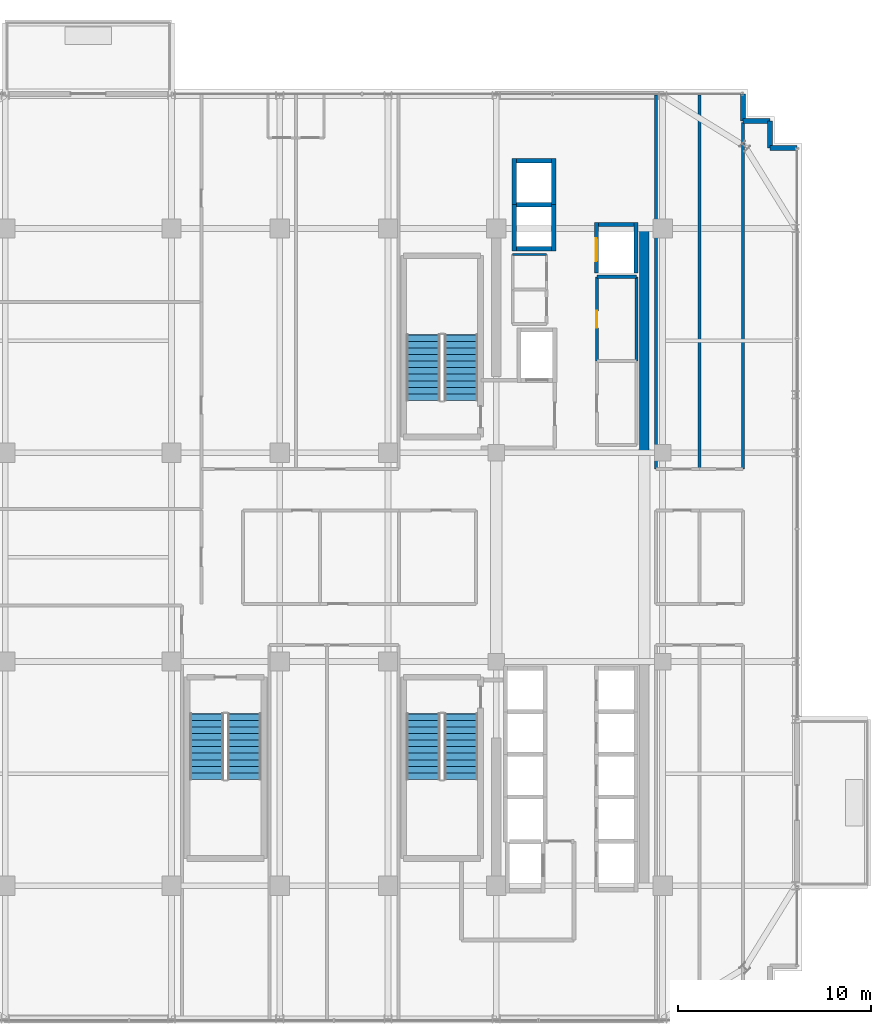
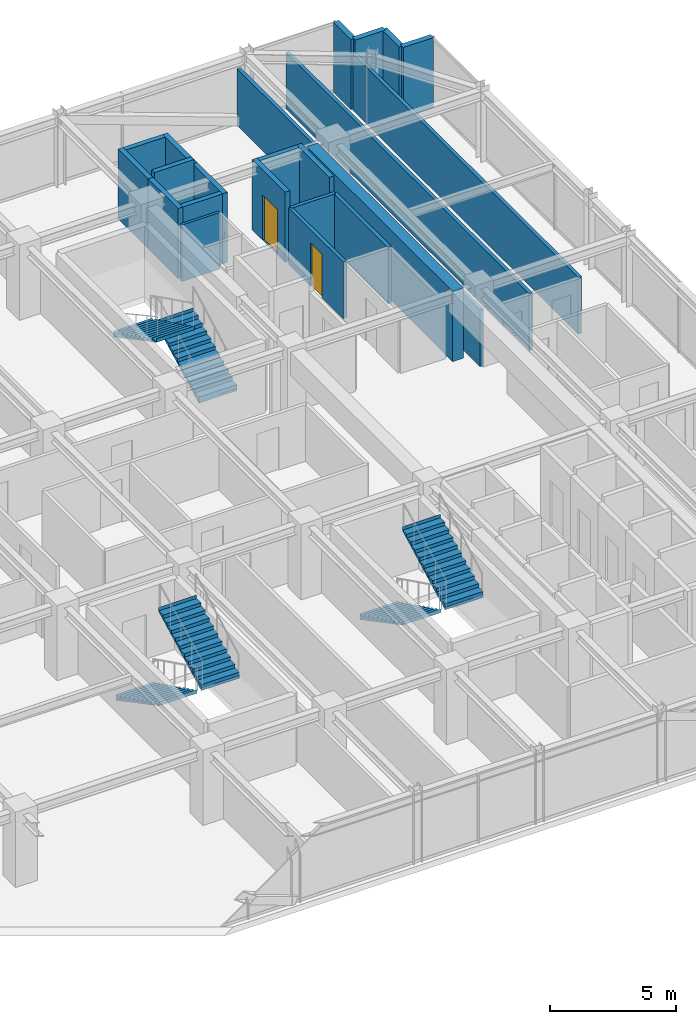
# One storey, part 33 of 36: 22 walls, 6 stair flights, 2 doors, 2 openings, 3 elements without a shape of their own.
"""IFC4 building model written with IfcOpenShell, lengths in metres."""

from ifc_helpers import new_model, si_unit, direction, frame, frame_2d, origin, place, context, subcontext, project, spatial, polyline, rectangle, outline, extrude, source, transform, mapped, material, layer, layer_set, type_object, element, fill, aggregate, save


model = new_model("IFC4")

# Units and contexts
model_context = context("Model", 3, precision=1e-05, world=origin(), true_north=direction((0.0, 1.0)))
body_context = subcontext(model_context, "Body", "Model", "MODEL_VIEW")
ifc_project = project(units=[si_unit("LENGTHUNIT", "METRE"), si_unit("AREAUNIT", "SQUARE_METRE"), si_unit("VOLUMEUNIT", "CUBIC_METRE"), si_unit("PLANEANGLEUNIT", "RADIAN"), si_unit("MASSUNIT", "GRAM", prefix="KILO")], contexts=[model_context])

# Site, building, storey
site_placement = place(None, origin())
site = spatial("IfcSite", under=ifc_project, at=site_placement, CompositionType="ELEMENT")
building_placement = place(site_placement, origin())
building = spatial("IfcBuilding", under=site, at=building_placement, Name="Nahalor Promenade Grand Hotel", CompositionType="ELEMENT")
storey_placement = place(building_placement, frame((0.0, 0.0, 219.699951171875)))
storey = spatial("IfcBuildingStorey", under=building, at=storey_placement, Name="L56", CompositionType="ELEMENT", Elevation=219.699951171875)

# Walls
ifc_material_1 = material(Name="Concrete B-60 (C50/60)", Category="concrete")
ifc_layer_1 = layer(ifc_material_1, 0.5)
ifc_layer_set_1 = layer_set([ifc_layer_1], Name="Concrete B-60 (C50/60)")
wall_type_1 = type_object("IfcWallType", Name="Wall-CoreShear-500", PredefinedType="SHEAR", material=ifc_layer_set_1)
shared_shape_1 = source(origin(), body_context, "Body", "SweptSolid", [
    extrude(rectangle(XDim=11.60009765625, YDim=0.5, at=frame_2d((5.800048828125, 0.0))), origin(), (0.0, 0.0, 1.0), 3.41015625),
])
wall_1_placement = place(storey_placement, frame((16.050048828125, 5.39990234375, 0.0), z_axis=(0.0, 0.0, 1.0), x_axis=(0.0, 1.0, 0.0)))
element("IfcWall", 1, at=wall_1_placement, inside=storey, type_object=wall_type_1, Name="CWALL-L56-NE", PredefinedType="SHEAR", context=body_context, shape_type="MappedRepresentation", body=[
    mapped(shared_shape_1, transform((0.0, 0.0, 0.0), scale=1.0)),
])
ifc_material_2 = material(Name="Concrete B-50 (C40/50)", Category="concrete")
ifc_layer_2 = layer(ifc_material_2, 0.219970703125)
ifc_layer_set_2 = layer_set([ifc_layer_2], Name="Concrete B-50 (C40/50)")
wall_type_2 = type_object("IfcWallType", Name="Wall-LiftShaft-220", PredefinedType="SHEAR", material=ifc_layer_set_2)
shared_shape_2 = source(origin(), body_context, "Body", "SweptSolid", [
    extrude(rectangle(XDim=1.820068359375, YDim=0.219970703125, at=frame_2d((0.91015625, 0.0))), origin(), (0.0, 0.0, 1.0), 3.41015625),
])
for number, where, z_axis, x_axis, name in (
    (2, (9.43994140625, 15.949951171875, 0.0), (0.0, 0.0, 1.0), (1.0, 0.0, 0.0), "L56 Lift OB1 Hoistway Wall S"),
    (3, (9.43994140625, 20.5, 0.0), (0.0, 0.0, 1.0), (1.0, 0.0, 0.0), "L56 Lift OB2 Hoistway Wall N"),
    (4, (13.68994140625, 17.199951171875, 0.0), (0.0, 0.0, 1.0), (1.0, 0.0, 0.0), "L56 Lift SV1 Hoistway Wall N"),
):
    element("IfcWall", number, at=place(storey_placement, frame(where, z_axis=z_axis, x_axis=x_axis)), inside=storey, type_object=wall_type_2, Name=name, PredefinedType="SHEAR", context=body_context, shape_type="MappedRepresentation", body=[
        mapped(shared_shape_2, transform((0.0, 0.0, 0.0), scale=1.0)),
    ])
shared_shape_3 = source(origin(), body_context, "Body", "SweptSolid", [
    extrude(rectangle(XDim=1.820068359375, YDim=0.219970703125, at=frame_2d((0.91015625, 0.0))), origin(), (0.0, 0.0, 1.0), 3.699951171875),
])
wall_2_placement = place(storey_placement, frame((9.43994140625, 18.22509765625, 0.0), z_axis=(0.0, 0.0, 1.0), x_axis=(1.0, 0.0, 0.0)))
element("IfcWall", 5, at=wall_2_placement, inside=storey, type_object=wall_type_2, Name="L56 Lift OB1 Hoistway Wall N", PredefinedType="SHEAR", context=body_context, shape_type="MappedRepresentation", body=[
    mapped(shared_shape_3, transform((0.0, 0.0, 0.0), scale=1.0)),
])
shared_shape_4 = source(origin(), body_context, "Body", "SweptSolid", [
    extrude(rectangle(XDim=2.385009765625, YDim=0.219970703125, at=frame_2d((1.1923828125, 0.0))), origin(), (0.0, 0.0, 1.0), 3.41015625),
])
for number, where, z_axis, x_axis, name in (
    (6, (9.330078125, 15.840087890625, 0.0), (0.0, 0.0, 1.0), (0.0, 1.0, 0.0), "L56 Lift OB1 Hoistway Wall W"),
    (7, (11.3701171875, 15.840087890625, 0.0), (0.0, 0.0, 1.0), (0.0, 1.0, 0.0), "L56 Lift OB1 Hoistway Wall E"),
    (8, (9.330078125, 18.22509765625, 0.0), (0.0, 0.0, 1.0), (0.0, 1.0, 0.0), "L56 Lift OB2 Hoistway Wall W"),
    (9, (11.3701171875, 18.22509765625, 0.0), (0.0, 0.0, 1.0), (0.0, 1.0, 0.0), "L56 Lift OB2 Hoistway Wall E"),
):
    element("IfcWall", number, at=place(storey_placement, frame(where, z_axis=z_axis, x_axis=x_axis)), inside=storey, type_object=wall_type_2, Name=name, PredefinedType="SHEAR", context=body_context, shape_type="MappedRepresentation", body=[
        mapped(shared_shape_4, transform((0.0, 0.0, 0.0), scale=1.0)),
    ])

# Wall, opening, door
shared_shape_5 = source(origin(), body_context, "Body", "SweptSolid", [
    extrude(rectangle(XDim=2.610107421875, YDim=0.219970703125, at=frame_2d((1.30517578125, 0.0))), origin(), (0.0, 0.0, 1.0), 3.41015625),
])
wall_3_placement = place(storey_placement, frame((13.580078125, 14.699951171875, 0.0), z_axis=(0.0, 0.0, 1.0), x_axis=(0.0, 1.0, 0.0)))
wall_3 = element("IfcWall", 10, at=wall_3_placement, inside=storey, type_object=wall_type_2, Name="L56 Lift SV1 Hoistway Wall W", PredefinedType="SHEAR", context=body_context, shape_type="MappedRepresentation", body=[
    mapped(shared_shape_5, transform((0.0, 0.0, 0.0), scale=1.0)),
])
opening_1_placement = place(wall_3_placement, frame((0.60009765625, 0.0, 0.0)))
opening_1 = element("IfcOpeningElement", 11, at=opening_1_placement, cuts=wall_3, Name="Opening LD-03", PredefinedType="OPENING", context=body_context, shape_type="SweptSolid", body=[
    extrude(rectangle(XDim=1.199951171875, YDim=2.199951171875, at=frame_2d((0.60009765625, 1.10009765625))), frame((0.0, 0.119873046875, 0.0), z_axis=(0.0, -1.0, 0.0), x_axis=(1.0, 0.0, 0.0)), (0.0, 0.0, 1.0), 0.239990234375),
])
ifc_material_3 = material(Name="Steel S355JR", Category="steel")
door_type_1 = type_object("IfcDoorType", Name="Door-LiftService-1200", OperationType="DOUBLE_DOOR_SLIDING", PredefinedType="DOOR", material=ifc_material_3)
shared_shape_6 = source(origin(), body_context, "Body", "SweptSolid", [
    extrude(rectangle(XDim=1.199951171875, YDim=2.199951171875, at=frame_2d((0.60009765625, 1.10009765625))), frame((0.0, 0.02490234375, 0.0), z_axis=(0.0, -1.0, 0.0), x_axis=(1.0, 0.0, 0.0)), (0.0, 0.0, 1.0), 0.050048828125),
])
door_1_placement = place(opening_1_placement, origin())
door_1 = element("IfcDoor", 12, at=door_1_placement, inside=storey, type_object=door_type_1, Name="DR-LIFT-SV1-L56", OperationType="DOUBLE_DOOR_SLIDING", OverallHeight=2.199951171875, OverallWidth=1.199951171875, PredefinedType="DOOR", context=body_context, shape_type="MappedRepresentation", body=[
    mapped(shared_shape_6, transform((0.0, 0.0, 0.0), scale=1.0)),
])
fill(opening_1, door_1)

# Walls
wall_4_placement = place(storey_placement, frame((15.6201171875, 14.699951171875, 0.0), z_axis=(0.0, 0.0, 1.0), x_axis=(0.0, 1.0, 0.0)))
element("IfcWall", 13, at=wall_4_placement, inside=storey, type_object=wall_type_2, Name="L56 Lift SV1 Hoistway Wall E", PredefinedType="SHEAR", context=body_context, shape_type="MappedRepresentation", body=[
    mapped(shared_shape_5, transform((0.0, 0.0, 0.0), scale=1.0)),
])
ifc_material_4 = material(Name="Concrete B-40 (C32/40)", Category="concrete")
ifc_layer_3 = layer(ifc_material_4, 0.25)
ifc_layer_set_3 = layer_set([ifc_layer_3], Name="Concrete B-40 (C32/40)")
wall_type_3 = type_object("IfcWallType", Name="Wall-BronzePier-250", PredefinedType="STANDARD", material=ifc_layer_set_3)
shared_shape_7 = source(origin(), body_context, "Body", "SweptSolid", [
    extrude(rectangle(XDim=1.39990234375, YDim=0.25, at=frame_2d((0.699951171875, 0.0))), origin(), (0.0, 0.0, 1.0), 3.41015625),
])
for number, where, z_axis, x_axis, name in (
    (14, (22.56005859375, 21.159912109375, 0.0), (0.0, 0.0, 1.0), (1.0, 0.0, 0.0), "W-L56-SR-05"),
    (15, (21.159912109375, 22.56005859375, 0.0), (0.0, 0.0, 1.0), (0.0, 1.0, 0.0), "W-L56-SR-08"),
):
    element("IfcWall", number, at=place(storey_placement, frame(where, z_axis=z_axis, x_axis=x_axis)), inside=storey, type_object=wall_type_3, Name=name, PredefinedType="STANDARD", context=body_context, shape_type="MappedRepresentation", body=[
        mapped(shared_shape_7, transform((0.0, 0.0, 0.0), scale=1.0)),
    ])
shared_shape_8 = source(origin(), body_context, "Body", "SweptSolid", [
    extrude(rectangle(XDim=1.400146484375, YDim=0.25, at=frame_2d((0.7001953125, 0.0))), origin(), (0.0, 0.0, 1.0), 3.41015625),
])
for number, where, z_axis, x_axis, name in (
    (16, (22.56005859375, 21.159912109375, 0.0), (0.0, 0.0, 1.0), (0.0, 1.0, 0.0), "W-L56-SR-06"),
    (17, (21.159912109375, 22.56005859375, 0.0), (0.0, 0.0, 1.0), (1.0, 0.0, 0.0), "W-L56-SR-07"),
):
    element("IfcWall", number, at=place(storey_placement, frame(where, z_axis=z_axis, x_axis=x_axis)), inside=storey, type_object=wall_type_3, Name=name, PredefinedType="STANDARD", context=body_context, shape_type="MappedRepresentation", body=[
        mapped(shared_shape_8, transform((0.0, 0.0, 0.0), scale=1.0)),
    ])
ifc_material_5 = material(Name="Acoustic Mineral Gypsum", Category="gypsum")
ifc_layer_4 = layer(ifc_material_5, 0.159912109375)
ifc_layer_set_4 = layer_set([ifc_layer_4], Name="Acoustic Mineral Gypsum")
wall_type_4 = type_object("IfcWallType", Name="Wall-PartCorridor-160", PredefinedType="PARTITIONING", material=ifc_layer_set_4)
shared_shape_9 = source(origin(), body_context, "Body", "SweptSolid", [
    extrude(rectangle(XDim=2.0498046875, YDim=0.159912109375, at=frame_2d((1.02490234375, 0.0))), origin(), (0.0, 0.0, 1.0), 2.75),
])
wall_5_placement = place(storey_placement, frame((13.60009765625, 14.5, 0.0), z_axis=(0.0, 0.0, 1.0), x_axis=(1.0, 0.0, 0.0)))
element("IfcWall", 18, at=wall_5_placement, inside=storey, type_object=wall_type_4, Name="W-L56-FRB1B-N", PredefinedType="PARTITIONING", context=body_context, shape_type="MappedRepresentation", body=[
    mapped(shared_shape_9, transform((0.0, 0.0, 0.0), scale=1.0)),
])
shared_shape_10 = source(origin(), body_context, "Body", "SweptSolid", [
    extrude(rectangle(XDim=19.349853515625, YDim=0.159912109375, at=frame_2d((9.6748046875, 0.0))), origin(), (0.0, 0.0, 1.0), 2.75),
])
for number, where, z_axis, x_axis, name in (
    (19, (16.64990234375, 4.550048828125, 0.0), (0.0, 0.0, 1.0), (0.0, 1.0, 0.0), "W-L56-ENE1-W"),
    (20, (18.905029296875, 4.550048828125, 0.0), (0.0, 0.0, 1.0), (0.0, 1.0, 0.0), "W-L56-ENE1-E"),
):
    element("IfcWall", number, at=place(storey_placement, frame(where, z_axis=z_axis, x_axis=x_axis)), inside=storey, type_object=wall_type_4, Name=name, PredefinedType="PARTITIONING", context=body_context, shape_type="MappedRepresentation", body=[
        mapped(shared_shape_10, transform((0.0, 0.0, 0.0), scale=1.0)),
    ])
shared_shape_11 = source(origin(), body_context, "Body", "SweptSolid", [
    extrude(rectangle(XDim=17.929931640625, YDim=0.159912109375, at=frame_2d((8.96484375, 0.0))), origin(), (0.0, 0.0, 1.0), 2.75),
])
wall_6_placement = place(storey_placement, frame((21.159912109375, 4.550048828125, 0.0), z_axis=(0.0, 0.0, 1.0), x_axis=(0.0, 1.0, 0.0)))
element("IfcWall", 21, at=wall_6_placement, inside=storey, type_object=wall_type_4, Name="W-L56-ENE2-E", PredefinedType="PARTITIONING", context=body_context, shape_type="MappedRepresentation", body=[
    mapped(shared_shape_11, transform((0.0, 0.0, 0.0), scale=1.0)),
])
ifc_layer_5 = layer(ifc_material_5, 0.1201171875)
ifc_layer_set_5 = layer_set([ifc_layer_5], Name="Acoustic Mineral Gypsum")
wall_type_5 = type_object("IfcWallType", Name="Wall-PartBath-120", PredefinedType="PARTITIONING", material=ifc_layer_set_5)
shared_shape_12 = source(origin(), body_context, "Body", "SweptSolid", [
    extrude(rectangle(XDim=1.75, YDim=0.1201171875, at=frame_2d((0.875, 0.0))), origin(), (0.0, 0.0, 1.0), 2.75),
])
wall_7_placement = place(storey_placement, frame((9.25, 15.64990234375, 0.0), z_axis=(0.0, 0.0, 1.0), x_axis=(1.0, 0.0, 0.0)))
element("IfcWall", 22, at=wall_7_placement, inside=storey, type_object=wall_type_5, Name="W-L56-CK2B-N", PredefinedType="PARTITIONING", context=body_context, shape_type="MappedRepresentation", body=[
    mapped(shared_shape_12, transform((0.0, 0.0, 0.0), scale=1.0)),
])

# Wall, opening, door
shared_shape_13 = source(origin(), body_context, "Body", "SweptSolid", [
    extrude(rectangle(XDim=4.35009765625, YDim=0.159912109375, at=frame_2d((2.175048828125, 0.0))), origin(), (0.0, 0.0, 1.0), 2.75),
])
wall_8_placement = place(storey_placement, frame((13.60009765625, 10.14990234375, 0.0), z_axis=(0.0, 0.0, 1.0), x_axis=(0.0, 1.0, 0.0)))
wall_8 = element("IfcWall", 23, at=wall_8_placement, inside=storey, type_object=wall_type_4, Name="W-L56-FRB1B-W", PredefinedType="PARTITIONING", context=body_context, shape_type="MappedRepresentation", body=[
    mapped(shared_shape_13, transform((0.0, 0.0, 0.0), scale=1.0)),
])
opening_2_placement = place(wall_8_placement, frame((1.7099609375, 0.0, 0.0)))
opening_2 = element("IfcOpeningElement", 24, at=opening_2_placement, cuts=wall_8, Name="Opening D-03", PredefinedType="OPENING", context=body_context, shape_type="SweptSolid", body=[
    extrude(rectangle(XDim=0.8798828125, YDim=2.10009765625, at=frame_2d((0.43994140625, 1.050048828125))), frame((0.0, 0.08984375, 0.0), z_axis=(0.0, -1.0, 0.0), x_axis=(1.0, 0.0, 0.0)), (0.0, 0.0, 1.0), 0.179931640625),
])
ifc_material_6 = material(Name="Fire-Rated Timber Composite", Category="wood")
door_type_2 = type_object("IfcDoorType", Name="Door-BathSwing-880", OperationType="NOTDEFINED", PredefinedType="DOOR", material=ifc_material_6)
shared_shape_14 = source(origin(), body_context, "Body", "SweptSolid", [
    extrude(rectangle(XDim=0.8798828125, YDim=2.10009765625, at=frame_2d((0.43994140625, 1.050048828125))), frame((0.0, 0.02490234375, 0.0), z_axis=(0.0, -1.0, 0.0), x_axis=(1.0, 0.0, 0.0)), (0.0, 0.0, 1.0), 0.050048828125),
])
door_2_placement = place(opening_2_placement, frame((0.8798828125, 0.0, 0.0), z_axis=(0.0, 0.0, 1.0), x_axis=(-1.0, 0.0, 0.0)))
door_2 = element("IfcDoor", 25, at=door_2_placement, inside=storey, type_object=door_type_2, Name="DR-L56-FRB1B", OperationType="SINGLE_SWING_RIGHT", OverallHeight=2.10009765625, OverallWidth=0.8798828125, PredefinedType="DOOR", context=body_context, shape_type="MappedRepresentation", body=[
    mapped(shared_shape_14, transform((0.0, 0.0, 0.0), scale=1.0)),
])
fill(opening_2, door_2)

# Wall
wall_9_placement = place(storey_placement, frame((15.64990234375, 10.14990234375, 0.0), z_axis=(0.0, 0.0, 1.0), x_axis=(0.0, 1.0, 0.0)))
element("IfcWall", 26, at=wall_9_placement, inside=storey, type_object=wall_type_4, Name="W-L56-FRB1B-E", PredefinedType="PARTITIONING", context=body_context, shape_type="MappedRepresentation", body=[
    mapped(shared_shape_13, transform((0.0, 0.0, 0.0), scale=1.0)),
])

# Stair, stair flights
stair_type_1 = type_object("IfcStairType", Name="Stair-ST1", PredefinedType="HALF_TURN_STAIR", material=ifc_material_2)
stair_1_placement = place(storey_placement, origin())
stair_1 = element("IfcStair", 27, at=stair_1_placement, inside=storey, type_object=stair_type_1, Name="L56 ST1", PredefinedType="HALF_TURN_STAIR")
ifc_layer_6 = layer(ifc_material_2, 0.179931640625)
ifc_layer_set_6 = layer_set([ifc_layer_6], Name="Concrete B-50 (C40/50)")
stair_flight_type_1 = type_object("IfcStairFlightType", Name="Flight-ST1", PredefinedType="STRAIGHT", material=ifc_layer_set_6)
shared_shape_15 = source(origin(), body_context, "Body", "SweptSolid", [
    extrude(outline(polyline([(-0.00390625, -0.1201171875), (-0.00390625, 0.0), (0.0, 0.0), (0.0, 0.168212890625), (0.340087890625, 0.168212890625), (0.340087890625, 0.33642578125), (0.679931640625, 0.33642578125), (0.679931640625, 0.504638671875), (1.02001953125, 0.504638671875), (1.02001953125, 0.672607421875), (1.360107421875, 0.672607421875), (1.360107421875, 0.8408203125), (1.699951171875, 0.8408203125), (1.699951171875, 1.009033203125), (2.0400390625, 1.009033203125), (2.0400390625, 1.17724609375), (2.3798828125, 1.17724609375), (2.3798828125, 1.345458984375), (2.719970703125, 1.345458984375), (2.719970703125, 1.513671875), (3.06005859375, 1.513671875), (3.06005859375, 1.681884765625), (3.39990234375, 1.681884765625), (3.39990234375, 1.85009765625), (3.404052734375, 1.85009765625), (3.404052734375, 1.669921875), (0.02001953125, -0.1201171875), (-0.00390625, -0.1201171875)])), frame((0.0, 0.875, 0.0), z_axis=(0.0, -1.0, 0.0), x_axis=(1.0, 0.0, 0.0)), (0.0, 0.0, 1.0), 1.75),
])
stair_flight_1_placement = place(storey_placement, frame((6.574951171875, 8.10009765625, 0.0), z_axis=(0.0, 0.0, 1.0), x_axis=(0.0, 1.0, 0.0)))
stair_flight_1 = element("IfcStairFlight", 28, at=stair_flight_1_placement, type_object=stair_flight_type_1, Name="ST1 flight 1", NumberOfRisers=11, NumberOfTreads=10, PredefinedType="STRAIGHT", RiserHeight=0.168181818, TreadLength=0.34, context=body_context, shape_type="MappedRepresentation", body=[
    mapped(shared_shape_15, transform((0.0, 0.0, 0.0), scale=1.0)),
])
stair_flight_2_placement = place(storey_placement, frame((4.625, 11.5, 1.85009765625), z_axis=(0.0, 0.0, 1.0), x_axis=(0.0, -1.0, 0.0)))
stair_flight_2 = element("IfcStairFlight", 29, at=stair_flight_2_placement, type_object=stair_flight_type_1, Name="ST1 flight 2", NumberOfRisers=11, NumberOfTreads=10, PredefinedType="STRAIGHT", RiserHeight=0.168181818, TreadLength=0.34, context=body_context, shape_type="MappedRepresentation", body=[
    mapped(shared_shape_15, transform((0.0, 0.0, 0.0), scale=1.0)),
])
aggregate(stair_1, [stair_flight_1, stair_flight_2])

stair_type_2 = type_object("IfcStairType", Name="Stair-ST2", PredefinedType="HALF_TURN_STAIR", material=ifc_material_2)
stair_2_placement = place(storey_placement, origin())
stair_2 = element("IfcStair", 30, at=stair_2_placement, inside=storey, type_object=stair_type_2, Name="L56 ST2", PredefinedType="HALF_TURN_STAIR")
ifc_layer_7 = layer(ifc_material_2, 0.18994140625)
ifc_layer_set_7 = layer_set([ifc_layer_7], Name="Concrete B-50 (C40/50)")
stair_flight_type_2 = type_object("IfcStairFlightType", Name="Flight-ST2", PredefinedType="STRAIGHT", material=ifc_layer_set_7)
shared_shape_16 = source(origin(), body_context, "Body", "SweptSolid", [
    extrude(outline(polyline([(-0.00390625, -0.1201171875), (-0.00390625, 0.0), (0.0, 0.0), (0.0, 0.168212890625), (0.340087890625, 0.168212890625), (0.340087890625, 0.33642578125), (0.679931640625, 0.33642578125), (0.679931640625, 0.504638671875), (1.02001953125, 0.504638671875), (1.02001953125, 0.672607421875), (1.360107421875, 0.672607421875), (1.360107421875, 0.8408203125), (1.699951171875, 0.8408203125), (1.699951171875, 1.009033203125), (2.0400390625, 1.009033203125), (2.0400390625, 1.17724609375), (2.3798828125, 1.17724609375), (2.3798828125, 1.345458984375), (2.719970703125, 1.345458984375), (2.719970703125, 1.513671875), (3.06005859375, 1.513671875), (3.06005859375, 1.681884765625), (3.39990234375, 1.681884765625), (3.39990234375, 1.85009765625), (3.404052734375, 1.85009765625), (3.404052734375, 1.669921875), (0.02001953125, -0.1201171875), (-0.00390625, -0.1201171875)])), frame((0.0, 0.875, 0.0), z_axis=(0.0, -1.0, 0.0), x_axis=(1.0, 0.0, 0.0)), (0.0, 0.0, 1.0), 1.75),
])
stair_flight_3_placement = place(storey_placement, frame((4.625, -8.10009765625, 0.0), z_axis=(0.0, 0.0, 1.0), x_axis=(0.0, -1.0, 0.0)))
stair_flight_3 = element("IfcStairFlight", 31, at=stair_flight_3_placement, type_object=stair_flight_type_2, Name="ST2 flight 1", NumberOfRisers=11, NumberOfTreads=10, PredefinedType="STRAIGHT", RiserHeight=0.168181818, TreadLength=0.34, context=body_context, shape_type="MappedRepresentation", body=[
    mapped(shared_shape_16, transform((0.0, 0.0, 0.0), scale=1.0)),
])
stair_flight_4_placement = place(storey_placement, frame((6.574951171875, -11.5, 1.85009765625), z_axis=(0.0, 0.0, 1.0), x_axis=(0.0, 1.0, 0.0)))
stair_flight_4 = element("IfcStairFlight", 32, at=stair_flight_4_placement, type_object=stair_flight_type_2, Name="ST2 flight 2", NumberOfRisers=11, NumberOfTreads=10, PredefinedType="STRAIGHT", RiserHeight=0.168181818, TreadLength=0.34, context=body_context, shape_type="MappedRepresentation", body=[
    mapped(shared_shape_16, transform((0.0, 0.0, 0.0), scale=1.0)),
])
aggregate(stair_2, [stair_flight_3, stair_flight_4])

stair_type_3 = type_object("IfcStairType", Name="Stair-ST3", PredefinedType="HALF_TURN_STAIR", material=ifc_material_2)
stair_3_placement = place(storey_placement, origin())
stair_3 = element("IfcStair", 33, at=stair_3_placement, inside=storey, type_object=stair_type_3, Name="L56 ST3", PredefinedType="HALF_TURN_STAIR")
ifc_layer_8 = layer(ifc_material_2, 0.199951171875)
ifc_layer_set_8 = layer_set([ifc_layer_8], Name="Concrete B-50 (C40/50)")
stair_flight_type_3 = type_object("IfcStairFlightType", Name="Flight-ST3", PredefinedType="STRAIGHT", material=ifc_layer_set_8)
shared_shape_17 = source(origin(), body_context, "Body", "SweptSolid", [
    extrude(outline(polyline([(-0.00390625, -0.1201171875), (-0.00390625, 0.0), (0.0, 0.0), (0.0, 0.168212890625), (0.340087890625, 0.168212890625), (0.340087890625, 0.33642578125), (0.679931640625, 0.33642578125), (0.679931640625, 0.504638671875), (1.02001953125, 0.504638671875), (1.02001953125, 0.672607421875), (1.360107421875, 0.672607421875), (1.360107421875, 0.8408203125), (1.699951171875, 0.8408203125), (1.699951171875, 1.009033203125), (2.0400390625, 1.009033203125), (2.0400390625, 1.17724609375), (2.3798828125, 1.17724609375), (2.3798828125, 1.345458984375), (2.719970703125, 1.345458984375), (2.719970703125, 1.513671875), (3.06005859375, 1.513671875), (3.06005859375, 1.681884765625), (3.39990234375, 1.681884765625), (3.39990234375, 1.85009765625), (3.404052734375, 1.85009765625), (3.404052734375, 1.669921875), (0.02001953125, -0.1201171875), (-0.00390625, -0.1201171875)])), frame((0.0, 0.875, 0.0), z_axis=(0.0, -1.0, 0.0), x_axis=(1.0, 0.0, 0.0)), (0.0, 0.0, 1.0), 1.75),
])
stair_flight_5_placement = place(storey_placement, frame((-6.574951171875, -8.10009765625, 0.0), z_axis=(0.0, 0.0, 1.0), x_axis=(0.0, -1.0, 0.0)))
stair_flight_5 = element("IfcStairFlight", 34, at=stair_flight_5_placement, type_object=stair_flight_type_3, Name="ST3 flight 1", NumberOfRisers=11, NumberOfTreads=10, PredefinedType="STRAIGHT", RiserHeight=0.168181818, TreadLength=0.34, context=body_context, shape_type="MappedRepresentation", body=[
    mapped(shared_shape_17, transform((0.0, 0.0, 0.0), scale=1.0)),
])
stair_flight_6_placement = place(storey_placement, frame((-4.625, -11.5, 1.85009765625), z_axis=(0.0, 0.0, 1.0), x_axis=(0.0, 1.0, 0.0)))
stair_flight_6 = element("IfcStairFlight", 35, at=stair_flight_6_placement, type_object=stair_flight_type_3, Name="ST3 flight 2", NumberOfRisers=11, NumberOfTreads=10, PredefinedType="STRAIGHT", RiserHeight=0.168181818, TreadLength=0.34, context=body_context, shape_type="MappedRepresentation", body=[
    mapped(shared_shape_17, transform((0.0, 0.0, 0.0), scale=1.0)),
])
aggregate(stair_3, [stair_flight_5, stair_flight_6])

save(model, "model.ifc")
